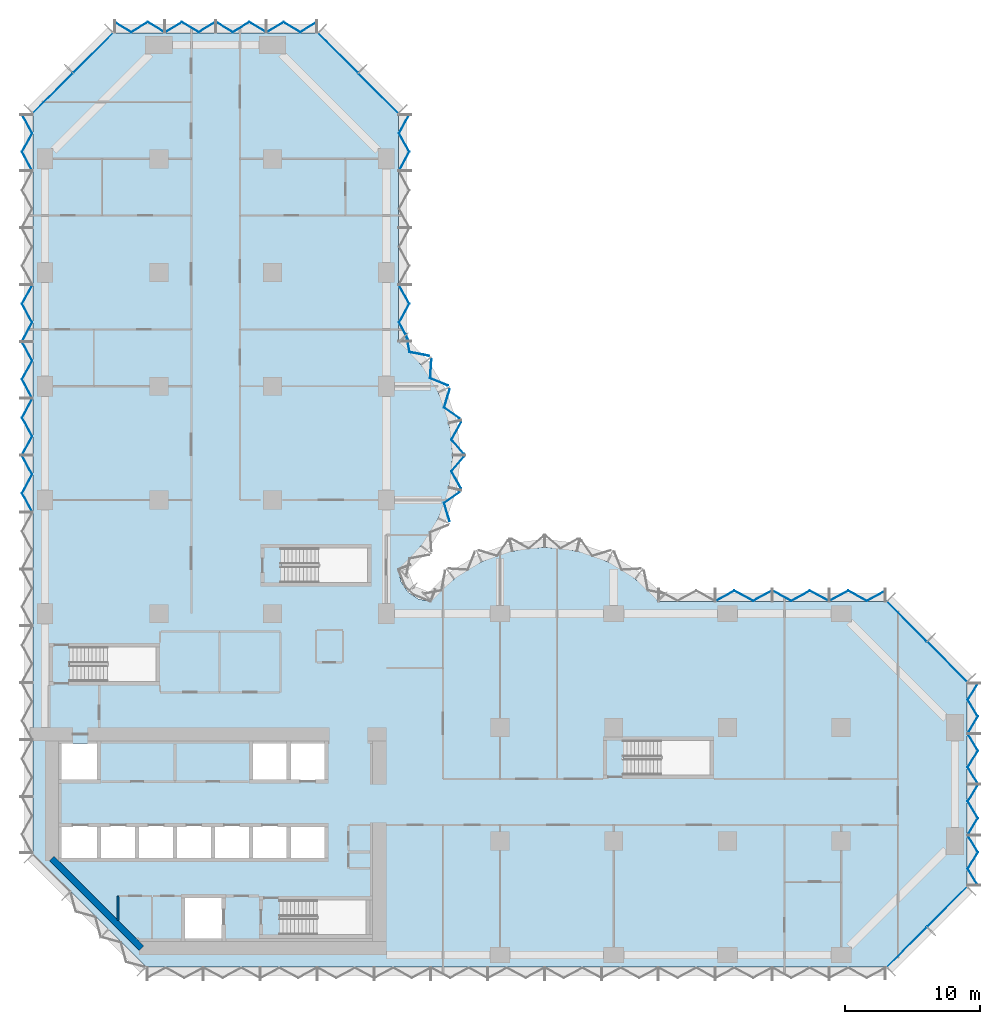
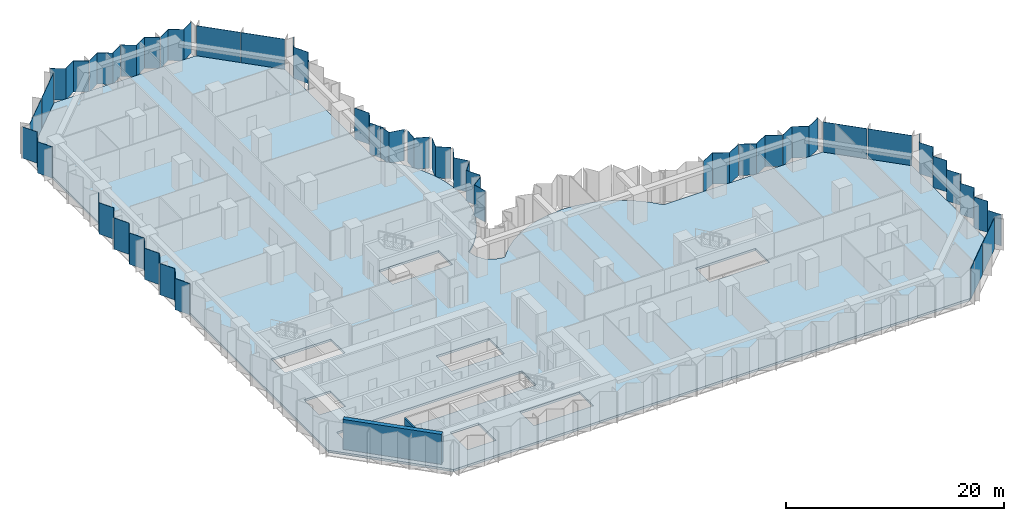
# One storey, part 6 of 15: 32 plates, 2 walls, 1 slab, 10 elements without a shape of their own.
"""IFC4 building model written with IfcOpenShell, lengths in metres."""

from ifc_helpers import new_model, si_unit, direction, frame, frame_2d, origin, place, context, subcontext, project, spatial, polyline, rectangle, outline, extrude, material, layer, layer_set, type_object, element, aggregate, save


model = new_model("IFC4")

# Units and contexts
model_context = context("Model", 3, precision=1e-05, world=origin(), true_north=direction((0.0, 1.0)))
body_context = subcontext(model_context, "Body", "Model", "MODEL_VIEW")
ifc_project = project(units=[si_unit("LENGTHUNIT", "METRE"), si_unit("AREAUNIT", "SQUARE_METRE"), si_unit("VOLUMEUNIT", "CUBIC_METRE"), si_unit("PLANEANGLEUNIT", "RADIAN"), si_unit("MASSUNIT", "GRAM", prefix="KILO")], contexts=[model_context])

# Site, building, storey
site_placement = place(None, origin())
site = spatial("IfcSite", under=ifc_project, at=site_placement, CompositionType="ELEMENT")
building_placement = place(site_placement, origin())
building = spatial("IfcBuilding", under=site, at=building_placement, Name="Brevane Broadcast Tower", CompositionType="ELEMENT")
storey_placement = place(building_placement, frame((0.0, 0.0, 65.300048828125)))
storey = spatial("IfcBuildingStorey", under=building, at=storey_placement, Name="L14", CompositionType="ELEMENT", Elevation=65.300048828125)

# Curtain wall, plates
ifc_material_1 = material(Name="Aluminium 6063-T6 bronze anodised", Category="aluminium")
curtain_wall_type = type_object("IfcCurtainWallType", Name="CW-1 curtain wall", PredefinedType="NOTDEFINED", material=ifc_material_1)
curtain_wall_1_placement = place(storey_placement, origin())
curtain_wall_1 = element("IfcCurtainWall", 1, at=curtain_wall_1_placement, inside=storey, type_object=curtain_wall_type, Name="CW-1 typical tilted unit L14 south-east chamfer", PredefinedType="NOTDEFINED")
ifc_material_2 = material(Name="Laminated glass bronze-tinted", Category="glass")
ifc_layer_1 = layer(ifc_material_2, 0.0400390625)
ifc_layer_set_1 = layer_set([ifc_layer_1], Name="CW tall glass panel 40")
plate_type = type_object("IfcPlateType", Name="CW tall glass panel 40", PredefinedType="CURTAIN_PANEL", material=ifc_layer_set_1)
plate_1_placement = place(storey_placement, frame((0.0, 0.0, -0.150146484375)))
plate_1 = element("IfcPlate", 2, at=plate_1_placement, type_object=plate_type, Name="CW-1 glass panel", PredefinedType="CURTAIN_PANEL", context=body_context, shape_type="SweptSolid", body=[
    extrude(outline(polyline([(62.14599609375, -0.896484375), (65.096435546875, 2.053955078125), (65.124755859375, 2.02587890625), (62.17431640625, -0.9248046875), (62.14599609375, -0.896484375)])), origin(), (0.0, 0.0, 1.0), 3.5),
])
plate_2_placement = place(storey_placement, frame((0.0, 0.0, -0.150146484375)))
plate_2 = element("IfcPlate", 3, at=plate_2_placement, type_object=plate_type, Name="CW-1 glass panel", PredefinedType="CURTAIN_PANEL", context=body_context, shape_type="SweptSolid", body=[
    extrude(outline(polyline([(65.14599609375, 2.103515625), (68.096435546875, 5.053955078125), (68.124755859375, 5.02587890625), (65.17431640625, 2.0751953125), (65.14599609375, 2.103515625)])), origin(), (0.0, 0.0, 1.0), 3.5),
])
aggregate(curtain_wall_1, [plate_1, plate_2])

curtain_wall_2_placement = place(storey_placement, origin())
curtain_wall_2 = element("IfcCurtainWall", 4, at=curtain_wall_2_placement, inside=storey, type_object=curtain_wall_type, Name="CW-1 typical tilted unit L14 east end", PredefinedType="NOTDEFINED")
plate_3_placement = place(storey_placement, frame((0.0, 0.0, -0.150146484375)))
plate_3 = element("IfcPlate", 5, at=plate_3_placement, type_object=plate_type, Name="CW-1 glass panel", PredefinedType="CURTAIN_PANEL", context=body_context, shape_type="SweptSolid", body=[
    extrude(outline(polyline([(68.87109375, 5.135009765625), (68.917724609375, 5.135009765625), (68.17333984375, 6.36181640625), (68.917724609375, 7.58837890625), (68.17333984375, 8.81494140625), (68.126708984375, 8.81494140625), (68.87109375, 7.58837890625), (68.126708984375, 6.36181640625), (68.87109375, 5.135009765625)])), origin(), (0.0, 0.0, 1.0), 3.5),
])
plate_4_placement = place(storey_placement, frame((0.0, 0.0, -0.150146484375)))
plate_4 = element("IfcPlate", 6, at=plate_4_placement, type_object=plate_type, Name="CW-1 glass panel", PredefinedType="CURTAIN_PANEL", context=body_context, shape_type="SweptSolid", body=[
    extrude(outline(polyline([(68.126708984375, 8.885009765625), (68.17333984375, 8.885009765625), (68.917724609375, 10.11181640625), (68.17333984375, 11.33837890625), (68.917724609375, 12.56494140625), (68.87109375, 12.56494140625), (68.126708984375, 11.33837890625), (68.87109375, 10.11181640625), (68.126708984375, 8.885009765625)])), origin(), (0.0, 0.0, 1.0), 3.5),
])
plate_5_placement = place(storey_placement, frame((0.0, 0.0, -0.150146484375)))
plate_5 = element("IfcPlate", 7, at=plate_5_placement, type_object=plate_type, Name="CW-1 glass panel", PredefinedType="CURTAIN_PANEL", context=body_context, shape_type="SweptSolid", body=[
    extrude(outline(polyline([(68.87109375, 12.635009765625), (68.917724609375, 12.635009765625), (68.17333984375, 13.86181640625), (68.917724609375, 15.08837890625), (68.17333984375, 16.31494140625), (68.126708984375, 16.31494140625), (68.87109375, 15.08837890625), (68.126708984375, 13.86181640625), (68.87109375, 12.635009765625)])), origin(), (0.0, 0.0, 1.0), 3.5),
])
plate_6_placement = place(storey_placement, frame((0.0, 0.0, -0.150146484375)))
plate_6 = element("IfcPlate", 8, at=plate_6_placement, type_object=plate_type, Name="CW-1 glass panel", PredefinedType="CURTAIN_PANEL", context=body_context, shape_type="SweptSolid", body=[
    extrude(outline(polyline([(68.126708984375, 16.385009765625), (68.17333984375, 16.385009765625), (68.917724609375, 17.61181640625), (68.17333984375, 18.83837890625), (68.917724609375, 20.06494140625), (68.87109375, 20.06494140625), (68.126708984375, 18.83837890625), (68.87109375, 17.61181640625), (68.126708984375, 16.385009765625)])), origin(), (0.0, 0.0, 1.0), 3.5),
])
aggregate(curtain_wall_2, [plate_3, plate_4, plate_5, plate_6])

curtain_wall_3_placement = place(storey_placement, origin())
curtain_wall_3 = element("IfcCurtainWall", 9, at=curtain_wall_3_placement, inside=storey, type_object=curtain_wall_type, Name="CW-1 typical tilted unit L14 north-east chamfer", PredefinedType="NOTDEFINED")
plate_7_placement = place(storey_placement, frame((0.0, 0.0, -0.150146484375)))
plate_7 = element("IfcPlate", 10, at=plate_7_placement, type_object=plate_type, Name="CW-1 glass panel", PredefinedType="CURTAIN_PANEL", context=body_context, shape_type="SweptSolid", body=[
    extrude(outline(polyline([(68.096435546875, 20.14599609375), (65.14599609375, 23.096435546875), (65.17431640625, 23.124755859375), (68.124755859375, 20.17431640625), (68.096435546875, 20.14599609375)])), origin(), (0.0, 0.0, 1.0), 3.5),
])
plate_8_placement = place(storey_placement, frame((0.0, 0.0, -0.150146484375)))
plate_8 = element("IfcPlate", 11, at=plate_8_placement, type_object=plate_type, Name="CW-1 glass panel", PredefinedType="CURTAIN_PANEL", context=body_context, shape_type="SweptSolid", body=[
    extrude(outline(polyline([(65.096435546875, 23.14599609375), (62.14599609375, 26.096435546875), (62.17431640625, 26.124755859375), (65.124755859375, 23.17431640625), (65.096435546875, 23.14599609375)])), origin(), (0.0, 0.0, 1.0), 3.5),
])
aggregate(curtain_wall_3, [plate_7, plate_8])

curtain_wall_4_placement = place(storey_placement, origin())
curtain_wall_4 = element("IfcCurtainWall", 12, at=curtain_wall_4_placement, inside=storey, type_object=curtain_wall_type, Name="CW-1 typical tilted unit L14 east arm north face", PredefinedType="NOTDEFINED")
plate_9_placement = place(storey_placement, frame((0.0, 0.0, -0.150146484375)))
plate_9 = element("IfcPlate", 13, at=plate_9_placement, type_object=plate_type, Name="CW-1 glass panel", PredefinedType="CURTAIN_PANEL", context=body_context, shape_type="SweptSolid", body=[
    extrude(outline(polyline([(62.06494140625, 26.87158203125), (62.06494140625, 26.9169921875), (60.688232421875, 26.172607421875), (59.311767578125, 26.9169921875), (57.93505859375, 26.172607421875), (57.93505859375, 26.127197265625), (59.311767578125, 26.87158203125), (60.688232421875, 26.127197265625), (62.06494140625, 26.87158203125)])), origin(), (0.0, 0.0, 1.0), 3.5),
])
plate_10_placement = place(storey_placement, frame((0.0, 0.0, -0.150146484375)))
plate_10 = element("IfcPlate", 14, at=plate_10_placement, type_object=plate_type, Name="CW-1 glass panel", PredefinedType="CURTAIN_PANEL", context=body_context, shape_type="SweptSolid", body=[
    extrude(outline(polyline([(57.864990234375, 26.127197265625), (57.864990234375, 26.172607421875), (56.48828125, 26.9169921875), (55.11181640625, 26.172607421875), (53.735107421875, 26.9169921875), (53.735107421875, 26.87158203125), (55.11181640625, 26.127197265625), (56.48828125, 26.87158203125), (57.864990234375, 26.127197265625)])), origin(), (0.0, 0.0, 1.0), 3.5),
])
plate_11_placement = place(storey_placement, frame((0.0, 0.0, -0.150146484375)))
plate_11 = element("IfcPlate", 15, at=plate_11_placement, type_object=plate_type, Name="CW-1 glass panel", PredefinedType="CURTAIN_PANEL", context=body_context, shape_type="SweptSolid", body=[
    extrude(outline(polyline([(53.6650390625, 26.87158203125), (53.6650390625, 26.9169921875), (52.288330078125, 26.172607421875), (50.91162109375, 26.9169921875), (49.534912109375, 26.172607421875), (49.534912109375, 26.127197265625), (50.91162109375, 26.87158203125), (52.288330078125, 26.127197265625), (53.6650390625, 26.87158203125)])), origin(), (0.0, 0.0, 1.0), 3.5),
])
aggregate(curtain_wall_4, [plate_9, plate_10, plate_11])

curtain_wall_5_placement = place(storey_placement, origin())
curtain_wall_5 = element("IfcCurtainWall", 16, at=curtain_wall_5_placement, inside=storey, type_object=curtain_wall_type, Name="CW-1 typical tilted unit L14 north bow", PredefinedType="NOTDEFINED")
plate_12_placement = place(storey_placement, frame((0.0, 0.0, -0.150146484375)))
plate_12 = element("IfcPlate", 17, at=plate_12_placement, type_object=plate_type, Name="CW-1 glass panel", PredefinedType="CURTAIN_PANEL", context=body_context, shape_type="SweptSolid", body=[
    extrude(outline(polyline([(29.851806640625, 32.044677734375), (29.900634765625, 32.021484375), (29.494384765625, 33.364501953125), (30.622802734375, 34.167236328125), (30.57080078125, 34.17919921875), (29.44775390625, 33.380615234375), (29.851806640625, 32.044677734375)])), origin(), (0.0, 0.0, 1.0), 3.5),
])
plate_13_placement = place(storey_placement, frame((0.0, 0.0, -0.150146484375)))
plate_13 = element("IfcPlate", 18, at=plate_13_placement, type_object=plate_type, Name="CW-1 glass panel", PredefinedType="CURTAIN_PANEL", context=body_context, shape_type="SweptSolid", body=[
    extrude(outline(polyline([(30.68798828125, 34.483642578125), (30.740478515625, 34.4716796875), (30.036376953125, 35.730224609375), (30.94921875, 36.7919921875), (30.896484375, 36.7919921875), (29.98779296875, 35.735107421875), (30.68798828125, 34.483642578125)])), origin(), (0.0, 0.0, 1.0), 3.5),
])
plate_14_placement = place(storey_placement, frame((0.0, 0.0, -0.150146484375)))
plate_14 = element("IfcPlate", 19, at=plate_14_placement, type_object=plate_type, Name="CW-1 glass panel", PredefinedType="CURTAIN_PANEL", context=body_context, shape_type="SweptSolid", body=[
    extrude(outline(polyline([(30.896484375, 37.008056640625), (30.94921875, 37.008056640625), (30.036376953125, 38.069580078125), (30.740478515625, 39.328369140625), (30.68798828125, 39.31640625), (29.98779296875, 38.064697265625), (30.896484375, 37.008056640625)])), origin(), (0.0, 0.0, 1.0), 3.5),
])
plate_15_placement = place(storey_placement, frame((0.0, 0.0, -0.150146484375)))
plate_15 = element("IfcPlate", 20, at=plate_15_placement, type_object=plate_type, Name="CW-1 glass panel", PredefinedType="CURTAIN_PANEL", context=body_context, shape_type="SweptSolid", body=[
    extrude(outline(polyline([(30.57080078125, 39.62060546875), (30.622802734375, 39.6328125), (29.494384765625, 40.435546875), (29.900634765625, 41.778564453125), (29.851806640625, 41.75537109375), (29.44775390625, 40.41943359375), (30.57080078125, 39.62060546875)])), origin(), (0.0, 0.0, 1.0), 3.5),
])
plate_16_placement = place(storey_placement, frame((0.0, 0.0, -0.150146484375)))
plate_16 = element("IfcPlate", 21, at=plate_16_placement, type_object=plate_type, Name="CW-1 glass panel", PredefinedType="CURTAIN_PANEL", context=body_context, shape_type="SweptSolid", body=[
    extrude(outline(polyline([(29.712890625, 42.046875), (29.76171875, 42.0703125), (28.462890625, 42.601318359375), (28.551025390625, 43.9833984375), (28.5087890625, 43.950439453125), (28.42138671875, 42.5751953125), (29.712890625, 42.046875)])), origin(), (0.0, 0.0, 1.0), 3.5),
])
plate_17_placement = place(storey_placement, frame((0.0, 0.0, -0.150146484375)))
plate_17 = element("IfcPlate", 22, at=plate_17_placement, type_object=plate_type, Name="CW-1 glass panel", PredefinedType="CURTAIN_PANEL", context=body_context, shape_type="SweptSolid", body=[
    extrude(outline(polyline([(28.34375, 44.231201171875), (28.3857421875, 44.263916015625), (26.9423828125, 44.539306640625), (26.690185546875, 45.82470703125), (26.656005859375, 45.79150390625), (26.908203125, 44.5048828125), (28.34375, 44.231201171875)])), origin(), (0.0, 0.0, 1.0), 3.5),
])
aggregate(curtain_wall_5, [plate_12, plate_13, plate_14, plate_15, plate_16, plate_17])

curtain_wall_6_placement = place(storey_placement, origin())
curtain_wall_6 = element("IfcCurtainWall", 23, at=curtain_wall_6_placement, inside=storey, type_object=curtain_wall_type, Name="CW-1 typical tilted unit L14 north arm east face", PredefinedType="NOTDEFINED")
plate_18_placement = place(storey_placement, frame((0.0, 0.0, -0.150146484375)))
plate_18 = element("IfcPlate", 24, at=plate_18_placement, type_object=plate_type, Name="CW-1 glass panel", PredefinedType="CURTAIN_PANEL", context=body_context, shape_type="SweptSolid", body=[
    extrude(outline(polyline([(26.87158203125, 45.3349609375), (26.9169921875, 45.3349609375), (26.172607421875, 46.711669921875), (26.9169921875, 48.08837890625), (26.172607421875, 49.465087890625), (26.127197265625, 49.465087890625), (26.87158203125, 48.08837890625), (26.127197265625, 46.711669921875), (26.87158203125, 45.3349609375)])), origin(), (0.0, 0.0, 1.0), 3.5),
])
plate_19_placement = place(storey_placement, frame((0.0, 0.0, -0.150146484375)))
plate_19 = element("IfcPlate", 25, at=plate_19_placement, type_object=plate_type, Name="CW-1 glass panel", PredefinedType="CURTAIN_PANEL", context=body_context, shape_type="SweptSolid", body=[
    extrude(outline(polyline([(26.127197265625, 57.93505859375), (26.172607421875, 57.93505859375), (26.9169921875, 59.311767578125), (26.172607421875, 60.688232421875), (26.9169921875, 62.06494140625), (26.87158203125, 62.06494140625), (26.127197265625, 60.688232421875), (26.87158203125, 59.311767578125), (26.127197265625, 57.93505859375)])), origin(), (0.0, 0.0, 1.0), 3.5),
])
aggregate(curtain_wall_6, [plate_18, plate_19])

curtain_wall_7_placement = place(storey_placement, origin())
curtain_wall_7 = element("IfcCurtainWall", 26, at=curtain_wall_7_placement, inside=storey, type_object=curtain_wall_type, Name="CW-1 typical tilted unit L14 north arm north-east chamfer", PredefinedType="NOTDEFINED")
plate_20_placement = place(storey_placement, frame((0.0, 0.0, -0.150146484375)))
plate_20 = element("IfcPlate", 27, at=plate_20_placement, type_object=plate_type, Name="CW-1 glass panel", PredefinedType="CURTAIN_PANEL", context=body_context, shape_type="SweptSolid", body=[
    extrude(outline(polyline([(26.096435546875, 62.14599609375), (23.14599609375, 65.096435546875), (23.17431640625, 65.124755859375), (26.124755859375, 62.17431640625), (26.096435546875, 62.14599609375)])), origin(), (0.0, 0.0, 1.0), 3.5),
])
plate_21_placement = place(storey_placement, frame((0.0, 0.0, -0.150146484375)))
plate_21 = element("IfcPlate", 28, at=plate_21_placement, type_object=plate_type, Name="CW-1 glass panel", PredefinedType="CURTAIN_PANEL", context=body_context, shape_type="SweptSolid", body=[
    extrude(outline(polyline([(23.096435546875, 65.14599609375), (20.14599609375, 68.096435546875), (20.17431640625, 68.124755859375), (23.124755859375, 65.17431640625), (23.096435546875, 65.14599609375)])), origin(), (0.0, 0.0, 1.0), 3.5),
])
aggregate(curtain_wall_7, [plate_20, plate_21])

curtain_wall_8_placement = place(storey_placement, origin())
curtain_wall_8 = element("IfcCurtainWall", 29, at=curtain_wall_8_placement, inside=storey, type_object=curtain_wall_type, Name="CW-1 typical tilted unit L14 north end", PredefinedType="NOTDEFINED")
plate_22_placement = place(storey_placement, frame((0.0, 0.0, -0.150146484375)))
plate_22 = element("IfcPlate", 30, at=plate_22_placement, type_object=plate_type, Name="CW-1 glass panel", PredefinedType="CURTAIN_PANEL", context=body_context, shape_type="SweptSolid", body=[
    extrude(outline(polyline([(20.06494140625, 68.87109375), (20.06494140625, 68.917724609375), (18.83837890625, 68.17333984375), (17.61181640625, 68.917724609375), (16.385009765625, 68.17333984375), (16.385009765625, 68.126708984375), (17.61181640625, 68.87109375), (18.83837890625, 68.126708984375), (20.06494140625, 68.87109375)])), origin(), (0.0, 0.0, 1.0), 3.5),
])
plate_23_placement = place(storey_placement, frame((0.0, 0.0, -0.150146484375)))
plate_23 = element("IfcPlate", 31, at=plate_23_placement, type_object=plate_type, Name="CW-1 glass panel", PredefinedType="CURTAIN_PANEL", context=body_context, shape_type="SweptSolid", body=[
    extrude(outline(polyline([(16.31494140625, 68.126708984375), (16.31494140625, 68.17333984375), (15.08837890625, 68.917724609375), (13.86181640625, 68.17333984375), (12.635009765625, 68.917724609375), (12.635009765625, 68.87109375), (13.86181640625, 68.126708984375), (15.08837890625, 68.87109375), (16.31494140625, 68.126708984375)])), origin(), (0.0, 0.0, 1.0), 3.5),
])
plate_24_placement = place(storey_placement, frame((0.0, 0.0, -0.150146484375)))
plate_24 = element("IfcPlate", 32, at=plate_24_placement, type_object=plate_type, Name="CW-1 glass panel", PredefinedType="CURTAIN_PANEL", context=body_context, shape_type="SweptSolid", body=[
    extrude(outline(polyline([(12.56494140625, 68.87109375), (12.56494140625, 68.917724609375), (11.33837890625, 68.17333984375), (10.11181640625, 68.917724609375), (8.885009765625, 68.17333984375), (8.885009765625, 68.126708984375), (10.11181640625, 68.87109375), (11.33837890625, 68.126708984375), (12.56494140625, 68.87109375)])), origin(), (0.0, 0.0, 1.0), 3.5),
])
plate_25_placement = place(storey_placement, frame((0.0, 0.0, -0.150146484375)))
plate_25 = element("IfcPlate", 33, at=plate_25_placement, type_object=plate_type, Name="CW-1 glass panel", PredefinedType="CURTAIN_PANEL", context=body_context, shape_type="SweptSolid", body=[
    extrude(outline(polyline([(8.81494140625, 68.126708984375), (8.81494140625, 68.17333984375), (7.58837890625, 68.917724609375), (6.36181640625, 68.17333984375), (5.135009765625, 68.917724609375), (5.135009765625, 68.87109375), (6.36181640625, 68.126708984375), (7.58837890625, 68.87109375), (8.81494140625, 68.126708984375)])), origin(), (0.0, 0.0, 1.0), 3.5),
])
aggregate(curtain_wall_8, [plate_22, plate_23, plate_24, plate_25])

curtain_wall_9_placement = place(storey_placement, origin())
curtain_wall_9 = element("IfcCurtainWall", 34, at=curtain_wall_9_placement, inside=storey, type_object=curtain_wall_type, Name="CW-1 typical tilted unit L14 north-west chamfer", PredefinedType="NOTDEFINED")
plate_26_placement = place(storey_placement, frame((0.0, 0.0, -0.150146484375)))
plate_26 = element("IfcPlate", 35, at=plate_26_placement, type_object=plate_type, Name="CW-1 glass panel", PredefinedType="CURTAIN_PANEL", context=body_context, shape_type="SweptSolid", body=[
    extrude(outline(polyline([(5.053955078125, 68.096435546875), (2.103515625, 65.14599609375), (2.0751953125, 65.17431640625), (5.02587890625, 68.124755859375), (5.053955078125, 68.096435546875)])), origin(), (0.0, 0.0, 1.0), 3.5),
])
plate_27_placement = place(storey_placement, frame((0.0, 0.0, -0.150146484375)))
plate_27 = element("IfcPlate", 36, at=plate_27_placement, type_object=plate_type, Name="CW-1 glass panel", PredefinedType="CURTAIN_PANEL", context=body_context, shape_type="SweptSolid", body=[
    extrude(outline(polyline([(2.053955078125, 65.096435546875), (-0.896484375, 62.14599609375), (-0.9248046875, 62.17431640625), (2.02587890625, 65.124755859375), (2.053955078125, 65.096435546875)])), origin(), (0.0, 0.0, 1.0), 3.5),
])
aggregate(curtain_wall_9, [plate_26, plate_27])

curtain_wall_10_placement = place(storey_placement, origin())
curtain_wall_10 = element("IfcCurtainWall", 37, at=curtain_wall_10_placement, inside=storey, type_object=curtain_wall_type, Name="CW-1 typical tilted unit L14 west face", PredefinedType="NOTDEFINED")
plate_28_placement = place(storey_placement, frame((0.0, 0.0, -0.150146484375)))
plate_28 = element("IfcPlate", 38, at=plate_28_placement, type_object=plate_type, Name="CW-1 glass panel", PredefinedType="CURTAIN_PANEL", context=body_context, shape_type="SweptSolid", body=[
    extrude(outline(polyline([(-1.671630859375, 62.06494140625), (-1.717041015625, 62.06494140625), (-0.97265625, 60.688232421875), (-1.717041015625, 59.311767578125), (-0.97265625, 57.93505859375), (-0.92724609375, 57.93505859375), (-1.671630859375, 59.311767578125), (-0.92724609375, 60.688232421875), (-1.671630859375, 62.06494140625)])), origin(), (0.0, 0.0, 1.0), 3.5),
])
plate_29_placement = place(storey_placement, frame((0.0, 0.0, -0.150146484375)))
plate_29 = element("IfcPlate", 39, at=plate_29_placement, type_object=plate_type, Name="CW-1 glass panel", PredefinedType="CURTAIN_PANEL", context=body_context, shape_type="SweptSolid", body=[
    extrude(outline(polyline([(-0.92724609375, 49.465087890625), (-0.97265625, 49.465087890625), (-1.717041015625, 48.08837890625), (-0.97265625, 46.711669921875), (-1.717041015625, 45.3349609375), (-1.671630859375, 45.3349609375), (-0.92724609375, 46.711669921875), (-1.671630859375, 48.08837890625), (-0.92724609375, 49.465087890625)])), origin(), (0.0, 0.0, 1.0), 3.5),
])
plate_30_placement = place(storey_placement, frame((0.0, 0.0, -0.150146484375)))
plate_30 = element("IfcPlate", 40, at=plate_30_placement, type_object=plate_type, Name="CW-1 glass panel", PredefinedType="CURTAIN_PANEL", context=body_context, shape_type="SweptSolid", body=[
    extrude(outline(polyline([(-1.671630859375, 45.264892578125), (-1.717041015625, 45.264892578125), (-0.97265625, 43.88818359375), (-1.717041015625, 42.51171875), (-0.97265625, 41.135009765625), (-0.92724609375, 41.135009765625), (-1.671630859375, 42.51171875), (-0.92724609375, 43.88818359375), (-1.671630859375, 45.264892578125)])), origin(), (0.0, 0.0, 1.0), 3.5),
])
plate_31_placement = place(storey_placement, frame((0.0, 0.0, -0.150146484375)))
plate_31 = element("IfcPlate", 41, at=plate_31_placement, type_object=plate_type, Name="CW-1 glass panel", PredefinedType="CURTAIN_PANEL", context=body_context, shape_type="SweptSolid", body=[
    extrude(outline(polyline([(-0.92724609375, 41.06494140625), (-0.97265625, 41.06494140625), (-1.717041015625, 39.688232421875), (-0.97265625, 38.311767578125), (-1.717041015625, 36.93505859375), (-1.671630859375, 36.93505859375), (-0.92724609375, 38.311767578125), (-1.671630859375, 39.688232421875), (-0.92724609375, 41.06494140625)])), origin(), (0.0, 0.0, 1.0), 3.5),
])
plate_32_placement = place(storey_placement, frame((0.0, 0.0, -0.150146484375)))
plate_32 = element("IfcPlate", 42, at=plate_32_placement, type_object=plate_type, Name="CW-1 glass panel", PredefinedType="CURTAIN_PANEL", context=body_context, shape_type="SweptSolid", body=[
    extrude(outline(polyline([(-1.671630859375, 36.864990234375), (-1.717041015625, 36.864990234375), (-0.97265625, 35.48828125), (-1.717041015625, 34.11181640625), (-0.97265625, 32.735107421875), (-0.92724609375, 32.735107421875), (-1.671630859375, 34.11181640625), (-0.92724609375, 35.48828125), (-1.671630859375, 36.864990234375)])), origin(), (0.0, 0.0, 1.0), 3.5),
])
aggregate(curtain_wall_10, [plate_28, plate_29, plate_30, plate_31, plate_32])

# Slab
ifc_material_3 = material(Name="Concrete C40/50", Category="concrete")
ifc_layer_2 = layer(ifc_material_3, 0.25)
ifc_layer_set_2 = layer_set([ifc_layer_2], Name="RC FLOOR SLAB 250 C40/50")
slab_type = type_object("IfcSlabType", Name="RC FLOOR SLAB 250 C40/50", PredefinedType="FLOOR", material=ifc_layer_set_2)
slab_placement = place(storey_placement, frame((0.0, 0.0, -0.25)))
element("IfcSlab", 43, at=slab_placement, inside=storey, type_object=slab_type, Name="SL250 L14", PredefinedType="FLOOR", context=body_context, shape_type="SweptSolid", body=[
    extrude(outline(polyline([(-0.89990234375, 7.5), (-0.89990234375, 62.10009765625), (5.10009765625, 68.10009765625), (20.10009765625, 68.10009765625), (26.10009765625, 62.10009765625), (26.10009765625, 45.300048828125), (27.10888671875, 44.36865234375), (27.99169921875, 43.317138671875), (28.734130859375, 42.162353515625), (29.324462890625, 40.922607421875), (29.7529296875, 39.618408203125), (30.012939453125, 38.270263671875), (30.10009765625, 36.89990234375), (30.012939453125, 35.52978515625), (29.7529296875, 34.181640625), (29.324462890625, 32.877197265625), (28.734130859375, 31.6376953125), (27.99169921875, 30.48291015625), (27.10888671875, 29.431396484375), (26.10009765625, 28.5), (26.28271484375, 27.58154296875), (26.802978515625, 26.802978515625), (27.58154296875, 26.28271484375), (28.5, 26.10009765625), (29.431396484375, 27.10888671875), (30.48291015625, 27.99169921875), (31.6376953125, 28.734130859375), (32.877197265625, 29.324462890625), (34.181640625, 29.7529296875), (35.52978515625, 30.012939453125), (36.89990234375, 30.10009765625), (38.270263671875, 30.012939453125), (39.618408203125, 29.7529296875), (40.922607421875, 29.324462890625), (42.162353515625, 28.734130859375), (43.317138671875, 27.99169921875), (44.36865234375, 27.10888671875), (45.300048828125, 26.10009765625), (62.10009765625, 26.10009765625), (68.10009765625, 20.10009765625), (68.10009765625, 5.10009765625), (62.10009765625, -0.89990234375), (7.5, -0.89990234375), (-0.89990234375, 7.5)]), holes=[polyline([(13.199951171875, 4.39990234375), (10.199951171875, 4.39990234375), (10.199951171875, 1.199951171875), (13.199951171875, 1.199951171875), (13.199951171875, 4.39990234375)]), polyline([(4.0, 9.60009765625), (1.199951171875, 9.60009765625), (1.199951171875, 7.0), (4.0, 7.0), (6.800048828125, 7.0), (9.60009765625, 7.0), (12.39990234375, 7.0), (15.199951171875, 7.0), (18.0, 7.0), (20.800048828125, 7.0), (20.800048828125, 9.60009765625), (18.0, 9.60009765625), (15.199951171875, 9.60009765625), (12.39990234375, 9.60009765625), (9.60009765625, 9.60009765625), (6.800048828125, 9.60009765625), (4.0, 9.60009765625)]), polyline([(4.0, 12.800048828125), (4.0, 15.60009765625), (1.199951171875, 15.60009765625), (1.199951171875, 12.800048828125), (4.0, 12.800048828125)]), polyline([(8.199951171875, 22.75), (1.860107421875, 22.75), (1.860107421875, 20.199951171875), (8.199951171875, 20.199951171875), (8.199951171875, 22.75)]), polyline([(23.699951171875, 4.050048828125), (17.360107421875, 4.050048828125), (17.360107421875, 1.5), (23.699951171875, 1.5), (23.699951171875, 4.050048828125)]), polyline([(18.0, 15.60009765625), (15.199951171875, 15.60009765625), (15.199951171875, 12.800048828125), (18.0, 12.800048828125), (20.800048828125, 12.800048828125), (20.800048828125, 15.60009765625), (18.0, 15.60009765625)]), polyline([(49.10009765625, 15.85009765625), (42.760009765625, 15.85009765625), (42.760009765625, 13.300048828125), (49.10009765625, 13.300048828125), (49.10009765625, 15.85009765625)]), polyline([(23.800048828125, 30.050048828125), (17.4599609375, 30.050048828125), (17.4599609375, 27.5), (23.800048828125, 27.5), (23.800048828125, 30.050048828125)])]), origin(), (0.0, 0.0, 1.0), 0.25),
])

# Walls
ifc_material_4 = material(Name="Gypsum board on steel studs", Category="steel")
ifc_layer_3 = layer(ifc_material_4, 0.14990234375)
ifc_layer_set_3 = layer_set([ifc_layer_3], Name="Core fire partition 150 mm")
wall_type_1 = type_object("IfcWallType", Name="Core fire partition 150 mm", PredefinedType="PARTITIONING", material=ifc_layer_set_3)
wall_1_placement = place(storey_placement, frame((5.39990234375, 2.553466796875, 0.0), z_axis=(0.0, 0.0, 1.0), x_axis=(0.0, 1.0, 0.0)))
element("IfcWall", 44, at=wall_1_placement, inside=storey, type_object=wall_type_1, Name="L14 partition wall P10", PredefinedType="PARTITIONING", context=body_context, shape_type="SweptSolid", body=[
    extrude(rectangle(XDim=1.796630859375, YDim=0.14990234375, at=frame_2d((0.8984375, 0.0))), origin(), (0.0, 0.0, 1.0), 3.349853515625),
])
ifc_material_5 = material(Name="Concrete C80/95", Category="concrete")
ifc_layer_4 = layer(ifc_material_5, 0.449951171875)
ifc_layer_set_4 = layer_set([ifc_layer_4], Name="Core wall 450 mm C80/95")
wall_type_2 = type_object("IfcWallType", Name="Core wall 450 mm C80/95", PredefinedType="SHEAR", material=ifc_layer_set_4)
wall_2_placement = place(storey_placement, frame((0.5, 7.1181640625, 0.0), z_axis=(0.0, 0.0, 1.0), x_axis=(0.707106781187, -0.707106781187, 0.0)))
element("IfcWall", 45, at=wall_2_placement, inside=storey, type_object=wall_type_2, Name="L14 outer wall WC", PredefinedType="SHEAR", context=body_context, shape_type="SweptSolid", body=[
    extrude(rectangle(XDim=9.359619140625, YDim=0.449951171875, at=frame_2d((4.6796875, 0.0))), origin(), (0.0, 0.0, 1.0), 3.349853515625),
])

save(model, "model.ifc")
